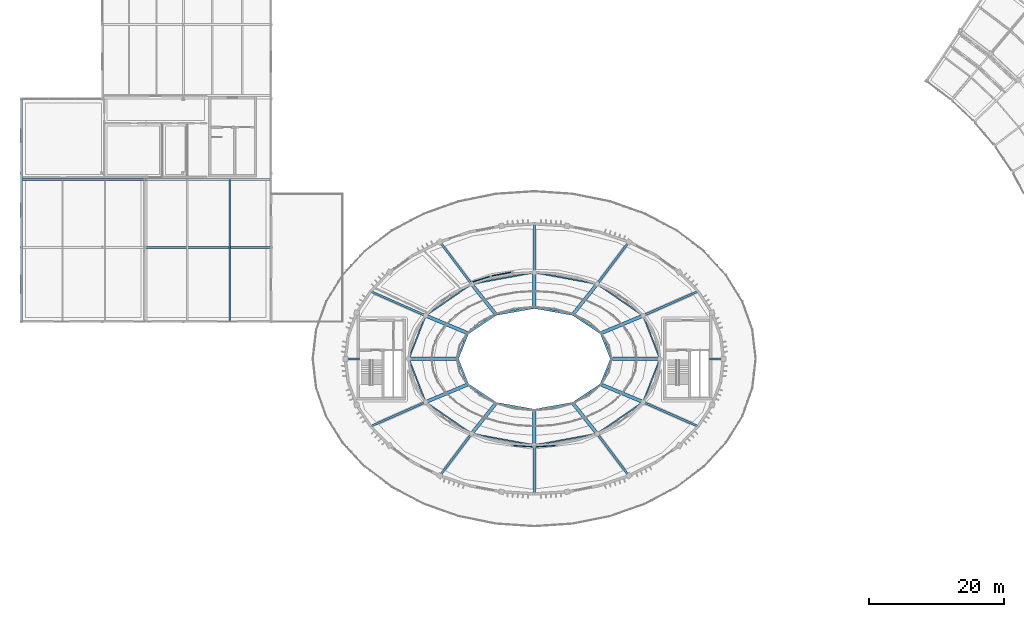
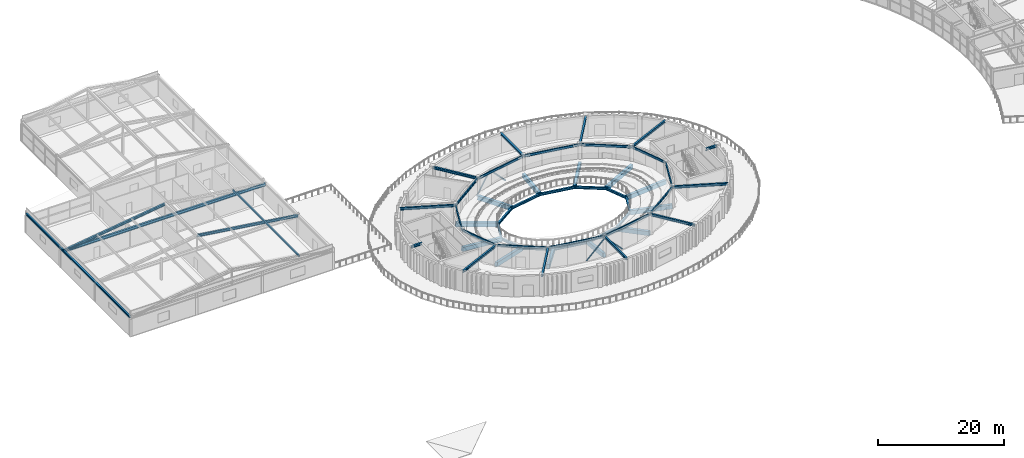
# One storey, part 15 of 63: 50 beams, 7 members.
"""IFC4 building model written with IfcOpenShell, lengths in metres."""

from ifc_helpers import new_model, si_unit, direction, frame, origin, origin_2d, place, context, subcontext, project, spatial, rectangle, hollow_rectangle, hollow_circle, i_section, extrude, material, material_profile, profile_set, type_object, element, save


model = new_model("IFC4")

# Units and contexts
model_context = context("Model", 3, precision=1e-05, world=origin(), true_north=direction((0.0, 1.0)))
body_context = subcontext(model_context, "Body", "Model", "MODEL_VIEW")
ifc_project = project(units=[si_unit("LENGTHUNIT", "METRE"), si_unit("AREAUNIT", "SQUARE_METRE"), si_unit("VOLUMEUNIT", "CUBIC_METRE"), si_unit("PLANEANGLEUNIT", "RADIAN"), si_unit("MASSUNIT", "GRAM", prefix="KILO")], contexts=[model_context])

# Site, building, storey
site_placement = place(None, origin())
site = spatial("IfcSite", under=ifc_project, at=site_placement, CompositionType="ELEMENT")
building_placement = place(site_placement, origin())
building = spatial("IfcBuilding", under=site, at=building_placement, Name="Tarnveldt Headland Concert Hall", CompositionType="ELEMENT")
storey_placement = place(building_placement, frame((0.0, 0.0, 14.39990234375)))
storey = spatial("IfcBuildingStorey", under=building, at=storey_placement, Name="L03", CompositionType="ELEMENT", Elevation=14.39990234375)

# Members
ifc_material_1 = material(Name="Steel S355", Category="steel")
ifc_material_profile_1 = material_profile(ifc_material_1, hollow_circle(Radius=0.109619140625, WallThickness=0.012451171875, at=origin_2d()), Name="CHS 219.1x12.5", Category="steel")
ifc_profile_set_1 = profile_set([ifc_material_profile_1], Name="Steel S355")
member_type_1 = type_object("IfcMemberType", Name="BR-CHS219", PredefinedType="BRACE", material=ifc_profile_set_1)
for number, where, z_axis, x_axis, name in (
    (1, (80.215576171875, 41.681396484375, 0.18017578125), (0.687856864767, -0.042182555076, 0.724619600645), (0.061209623857, 0.998124933036, 0.0), "Acoustic drum chevron brace L03-14A"),
    (2, (86.784423828125, 41.681396484375, 0.18017578125), (-0.687856864767, -0.042182555076, 0.724619600645), (0.061209623857, -0.998124933036, 0.0), "Acoustic drum chevron brace L03-14B"),
):
    element("IfcMember", number, at=place(storey_placement, frame(where, z_axis=z_axis, x_axis=x_axis)), inside=storey, type_object=member_type_1, Name=name, PredefinedType="BRACE", context=body_context, shape_type="SweptSolid", body=[
        extrude(hollow_circle(Radius=0.109619140625, WallThickness=0.012451171875, at=origin_2d()), origin(), (0.0, 0.0, 1.0), 4.77490234375),
    ])
ifc_material_profile_2 = material_profile(ifc_material_1, hollow_circle(Radius=0.136474609375, WallThickness=0.01611328125, at=origin_2d()), Name="CHS 273x16", Category="steel")
ifc_profile_set_2 = profile_set([ifc_material_profile_2], Name="Steel S355")
member_type_2 = type_object("IfcMemberType", Name="BR-CHS273", PredefinedType="BRACE", material=ifc_profile_set_2)
member_1_placement = place(storey_placement, frame((80.215576171875, 67.318603515625, 0.18017578125), z_axis=(-0.671335621168, -0.125804564047, 0.730398312851), x_axis=(0.184188305631, -0.98289097466, 0.0)))
element("IfcMember", 3, at=member_1_placement, inside=storey, type_object=member_type_2, Name="Acoustic drum chevron brace L03-13A", PredefinedType="BRACE", context=body_context, shape_type="SweptSolid", body=[
    extrude(hollow_circle(Radius=0.136474609375, WallThickness=0.01611328125, at=origin_2d()), origin(), (0.0, 0.0, 1.0), 4.737060546875),
])
member_2_placement = place(storey_placement, frame((74.05859375, 65.753662109375, 0.18017578125), z_axis=(0.637976795619, 0.207670786665, 0.741524411343), x_axis=(-0.309528653366, 0.950890116021, 0.0)))
element("IfcMember", 4, at=member_2_placement, inside=storey, type_object=member_type_2, Name="Acoustic drum chevron brace L03-13B", PredefinedType="BRACE", context=body_context, shape_type="SweptSolid", body=[
    extrude(hollow_circle(Radius=0.136474609375, WallThickness=0.01611328125, at=origin_2d()), origin(), (0.0, 0.0, 1.0), 4.666015625),
])
ifc_material_profile_3 = material_profile(ifc_material_1, hollow_rectangle(XDim=0.199951171875, YDim=0.300048828125, WallThickness=0.012451171875, at=origin_2d()), Name="RHS 300x200x12.5", Category="steel")
ifc_profile_set_3 = profile_set([ifc_material_profile_3], Name="Steel S355")
member_type_3 = type_object("IfcMemberType", Name="PR-RHS300", PredefinedType="PURLIN", material=ifc_profile_set_3)
member_3_placement = place(storey_placement, frame((38.39501953125, 60.0, 4.6181640625), z_axis=(0.0, 1.0, 0.0), x_axis=(-1.0, 0.0, 0.0)))
element("IfcMember", 5, at=member_3_placement, inside=storey, type_object=member_type_3, Name="Rehearsal roof purlin SE-33", PredefinedType="PURLIN", context=body_context, shape_type="SweptSolid", body=[
    extrude(hollow_rectangle(XDim=0.199951171875, YDim=0.300048828125, WallThickness=0.012451171875, at=origin_2d()), origin(), (0.0, 0.0, 1.0), 21.10009765625),
])
ifc_material_profile_4 = material_profile(ifc_material_1, i_section(OverallWidth=0.300048828125, OverallDepth=0.449951171875, WebThickness=0.013916015625, FlangeThickness=0.02587890625, FilletRadius=0.027099609375, at=origin_2d()), Name="HEB450", Category="steel")
ifc_profile_set_4 = profile_set([ifc_material_profile_4], Name="Steel S355")
member_type_4 = type_object("IfcMemberType", Name="RF-HEB450", PredefinedType="RAFTER", material=ifc_profile_set_4)
for number, where, z_axis, x_axis, name in (
    (6, (26.0, 71.0, 6.260009765625), (0.990416332832, 0.0, -0.138114038601), (0.0, 1.0, 0.0), "ROOF TRUSS Rehearsal rafter S-2E"),
    (7, (7.5, 81.10009765625, 3.68017578125), (0.990416332832, 0.0, 0.138114038601), (0.0, 1.0, 0.0), "ROOF TRUSS Rehearsal rafter S-3W"),
):
    element("IfcMember", number, at=place(storey_placement, frame(where, z_axis=z_axis, x_axis=x_axis)), inside=storey, type_object=member_type_4, Name=name, PredefinedType="RAFTER", context=body_context, shape_type="SweptSolid", body=[
        extrude(i_section(OverallWidth=0.300048828125, OverallDepth=0.449951171875, WebThickness=0.013916015625, FlangeThickness=0.02587890625, FilletRadius=0.027099609375, at=origin_2d()), origin(), (0.0, 0.0, 1.0), 18.678955078125),
    ])

# Beams
ifc_material_2 = material(Name="Concrete C40/50", Category="concrete")
ifc_material_profile_5 = material_profile(ifc_material_2, rectangle(XDim=0.5, YDim=0.800048828125, at=origin_2d()), Name="RAKER RC 500x800", Category="concrete")
ifc_profile_set_5 = profile_set([ifc_material_profile_5], Name="Concrete C40/50")
beam_type_1 = type_object("IfcBeamType", Name="RK-500x800", PredefinedType="BEAM", material=ifc_profile_set_5)
beam_1_placement = place(storey_placement, frame((102.10009765625, 54.5, 0.10009765625), z_axis=(-0.996488666887, 0.0, -0.08372775385), x_axis=(0.0, -1.0, 0.0)))
element("IfcBeam", 8, at=beam_1_placement, inside=storey, type_object=beam_type_1, Name="Stand RAKER beam L03-1", PredefinedType="BEAM", context=body_context, shape_type="SweptSolid", body=[
    extrude(rectangle(XDim=0.5, YDim=0.800048828125, at=origin_2d()), origin(), (0.0, 0.0, 1.0), 7.2255859375),
])
beam_2_placement = place(storey_placement, frame((99.608154296875, 60.89990234375, 0.10009765625), z_axis=(-0.919303981866, -0.383307286722, -0.089194802939), x_axis=(0.384841186622, -0.922982806492, 0.0)))
element("IfcBeam", 9, at=beam_2_placement, inside=storey, type_object=beam_type_1, Name="Stand RAKER beam L03-2", PredefinedType="BEAM", context=body_context, shape_type="SweptSolid", body=[
    extrude(rectangle(XDim=0.5, YDim=0.800048828125, at=origin_2d()), origin(), (0.0, 0.0, 1.0), 6.78271484375),
])
beam_3_placement = place(storey_placement, frame((92.800048828125, 65.585205078125, 0.10009765625), z_axis=(-0.621006749966, -0.776826970695, -0.104357434315), x_axis=(0.781091844356, -0.624416151842, 0.0)))
element("IfcBeam", 10, at=beam_3_placement, inside=storey, type_object=beam_type_1, Name="Stand RAKER beam L03-3", PredefinedType="BEAM", context=body_context, shape_type="SweptSolid", body=[
    extrude(rectangle(XDim=0.5, YDim=0.800048828125, at=origin_2d()), origin(), (0.0, 0.0, 1.0), 5.797119140625),
])
beam_4_placement = place(storey_placement, frame((83.5, 67.300048828125, 0.10009765625), z_axis=(0.0, -0.993300036983, -0.115563993222), x_axis=(1.0, 0.0, 0.0)))
element("IfcBeam", 11, at=beam_4_placement, inside=storey, type_object=beam_type_1, Name="Stand RAKER beam L03-4", PredefinedType="BEAM", context=body_context, shape_type="SweptSolid", body=[
    extrude(rectangle(XDim=0.5, YDim=0.800048828125, at=origin_2d()), origin(), (0.0, 0.0, 1.0), 5.235107421875),
])
beam_5_placement = place(storey_placement, frame((74.199951171875, 65.585205078125, 0.10009765625), z_axis=(0.621006749966, -0.776826970695, -0.104357434315), x_axis=(0.781091844356, 0.624416151842, 0.0)))
element("IfcBeam", 12, at=beam_5_placement, inside=storey, type_object=beam_type_1, Name="Stand RAKER beam L03-5", PredefinedType="BEAM", context=body_context, shape_type="SweptSolid", body=[
    extrude(rectangle(XDim=0.5, YDim=0.800048828125, at=origin_2d()), origin(), (0.0, 0.0, 1.0), 5.797119140625),
])
beam_6_placement = place(storey_placement, frame((67.391845703125, 60.89990234375, 0.10009765625), z_axis=(0.919303981866, -0.383307286722, -0.089194802939), x_axis=(0.384841186622, 0.922982806492, 0.0)))
element("IfcBeam", 13, at=beam_6_placement, inside=storey, type_object=beam_type_1, Name="Stand RAKER beam L03-6", PredefinedType="BEAM", context=body_context, shape_type="SweptSolid", body=[
    extrude(rectangle(XDim=0.5, YDim=0.800048828125, at=origin_2d()), origin(), (0.0, 0.0, 1.0), 6.78271484375),
])
beam_7_placement = place(storey_placement, frame((64.89990234375, 54.5, 0.10009765625), z_axis=(0.996488666887, 0.0, -0.08372775385), x_axis=(0.0, 1.0, 0.0)))
element("IfcBeam", 14, at=beam_7_placement, inside=storey, type_object=beam_type_1, Name="Stand RAKER beam L03-7", PredefinedType="BEAM", context=body_context, shape_type="SweptSolid", body=[
    extrude(rectangle(XDim=0.5, YDim=0.800048828125, at=origin_2d()), origin(), (0.0, 0.0, 1.0), 7.2255859375),
])
beam_8_placement = place(storey_placement, frame((67.391845703125, 48.10009765625, 0.10009765625), z_axis=(0.919303981866, 0.383307286722, -0.089194802939), x_axis=(-0.384841186622, 0.922982806492, 0.0)))
element("IfcBeam", 15, at=beam_8_placement, inside=storey, type_object=beam_type_1, Name="Stand RAKER beam L03-8", PredefinedType="BEAM", context=body_context, shape_type="SweptSolid", body=[
    extrude(rectangle(XDim=0.5, YDim=0.800048828125, at=origin_2d()), origin(), (0.0, 0.0, 1.0), 6.78271484375),
])
beam_9_placement = place(storey_placement, frame((74.199951171875, 43.414794921875, 0.10009765625), z_axis=(0.621006749966, 0.776826970695, -0.104357434315), x_axis=(-0.781091844356, 0.624416151842, 0.0)))
element("IfcBeam", 16, at=beam_9_placement, inside=storey, type_object=beam_type_1, Name="Stand RAKER beam L03-9", PredefinedType="BEAM", context=body_context, shape_type="SweptSolid", body=[
    extrude(rectangle(XDim=0.5, YDim=0.800048828125, at=origin_2d()), origin(), (0.0, 0.0, 1.0), 5.797119140625),
])
beam_10_placement = place(storey_placement, frame((83.5, 41.699951171875, 0.10009765625), z_axis=(0.0, 0.993300036983, -0.115563993222), x_axis=(-1.0, 0.0, 0.0)))
element("IfcBeam", 17, at=beam_10_placement, inside=storey, type_object=beam_type_1, Name="Stand RAKER beam L03-10", PredefinedType="BEAM", context=body_context, shape_type="SweptSolid", body=[
    extrude(rectangle(XDim=0.5, YDim=0.800048828125, at=origin_2d()), origin(), (0.0, 0.0, 1.0), 5.235107421875),
])
beam_11_placement = place(storey_placement, frame((92.800048828125, 43.414794921875, 0.10009765625), z_axis=(-0.621006749966, 0.776826970695, -0.104357434315), x_axis=(-0.781091844356, -0.624416151842, 0.0)))
element("IfcBeam", 18, at=beam_11_placement, inside=storey, type_object=beam_type_1, Name="Stand RAKER beam L03-11", PredefinedType="BEAM", context=body_context, shape_type="SweptSolid", body=[
    extrude(rectangle(XDim=0.5, YDim=0.800048828125, at=origin_2d()), origin(), (0.0, 0.0, 1.0), 5.797119140625),
])
beam_12_placement = place(storey_placement, frame((99.608154296875, 48.10009765625, 0.10009765625), z_axis=(-0.919303981866, 0.383307286722, -0.089194802939), x_axis=(-0.384841186622, -0.922982806492, 0.0)))
element("IfcBeam", 19, at=beam_12_placement, inside=storey, type_object=beam_type_1, Name="Stand RAKER beam L03-12", PredefinedType="BEAM", context=body_context, shape_type="SweptSolid", body=[
    extrude(rectangle(XDim=0.5, YDim=0.800048828125, at=origin_2d()), origin(), (0.0, 0.0, 1.0), 6.78271484375),
])
ifc_material_profile_6 = material_profile(ifc_material_1, i_section(OverallWidth=0.300048828125, OverallDepth=0.35009765625, WebThickness=0.010009765625, FlangeThickness=0.017578125, FilletRadius=0.027099609375, at=origin_2d()), Name="HEA360", Category="steel")
ifc_profile_set_6 = profile_set([ifc_material_profile_6], Name="Steel S355")
beam_type_2 = type_object("IfcBeamType", Name="SB-HEA360", PredefinedType="SPANDREL", material=ifc_profile_set_6)
beam_13_placement = place(storey_placement, frame((7.5, 60.0, 3.68017578125), z_axis=(0.0, 1.0, 0.0), x_axis=(-1.0, 0.0, 0.0)))
element("IfcBeam", 20, at=beam_13_placement, inside=storey, type_object=beam_type_2, Name="Rehearsal eaves girder X7", PredefinedType="SPANDREL", context=body_context, shape_type="SweptSolid", body=[
    extrude(i_section(OverallWidth=0.300048828125, OverallDepth=0.35009765625, WebThickness=0.010009765625, FlangeThickness=0.017578125, FilletRadius=0.027099609375, at=origin_2d()), origin(), (0.0, 0.0, 1.0), 33.0),
])
ifc_material_profile_7 = material_profile(ifc_material_1, i_section(OverallWidth=0.300048828125, OverallDepth=0.449951171875, WebThickness=0.013916015625, FlangeThickness=0.02587890625, FilletRadius=0.027099609375, at=origin_2d()), Name="HEB450", Category="steel")
ifc_profile_set_7 = profile_set([ifc_material_profile_7], Name="Steel S355")
beam_type_3 = type_object("IfcBeamType", Name="SB-HEB450", PredefinedType="BEAM", material=ifc_profile_set_7)
beam_14_placement = place(storey_placement, frame((94.89990234375, 54.5, -0.5048828125), z_axis=(-0.372880527765, 0.927879362856, 0.0), x_axis=(-0.927879362856, -0.372880527765, 0.0)))
element("IfcBeam", 21, at=beam_14_placement, inside=storey, type_object=beam_type_3, Name="RAKER header beam L03-1", PredefinedType="BEAM", context=body_context, shape_type="SweptSolid", body=[
    extrude(i_section(OverallWidth=0.300048828125, OverallDepth=0.449951171875, WebThickness=0.013916015625, FlangeThickness=0.02587890625, FilletRadius=0.027099609375, at=origin_2d()), origin(), (0.0, 0.0, 1.0), 4.095458984375),
])
beam_15_placement = place(storey_placement, frame((93.372802734375, 58.300048828125, -0.5048828125), z_axis=(-0.832065272977, 0.554677727609, 0.0), x_axis=(-0.554677727609, -0.832065272977, 0.0)))
element("IfcBeam", 22, at=beam_15_placement, inside=storey, type_object=beam_type_3, Name="RAKER header beam L03-2", PredefinedType="BEAM", context=body_context, shape_type="SweptSolid", body=[
    extrude(i_section(OverallWidth=0.300048828125, OverallDepth=0.449951171875, WebThickness=0.013916015625, FlangeThickness=0.02587890625, FilletRadius=0.027099609375, at=origin_2d()), origin(), (0.0, 0.0, 1.0), 5.01513671875),
])
for number, where, z_axis, x_axis, name in (
    (23, (89.199951171875, 61.081787109375, -0.5048828125), (-0.984413760872, 0.175867982893, 0.0), (-0.175867982893, -0.984413760872, 0.0), "RAKER header beam L03-3"),
    (24, (83.5, 62.10009765625, -0.5048828125), (-0.984413760872, -0.175867982893, 0.0), (0.175867982893, -0.984413760872, 0.0), "RAKER header beam L03-4"),
):
    element("IfcBeam", number, at=place(storey_placement, frame(where, z_axis=z_axis, x_axis=x_axis)), inside=storey, type_object=beam_type_3, Name=name, PredefinedType="BEAM", context=body_context, shape_type="SweptSolid", body=[
        extrude(i_section(OverallWidth=0.300048828125, OverallDepth=0.449951171875, WebThickness=0.013916015625, FlangeThickness=0.02587890625, FilletRadius=0.027099609375, at=origin_2d()), origin(), (0.0, 0.0, 1.0), 5.790283203125),
    ])
beam_16_placement = place(storey_placement, frame((77.800048828125, 61.081787109375, -0.5048828125), z_axis=(-0.832065272977, -0.554677727609, 0.0), x_axis=(0.554677727609, -0.832065272977, 0.0)))
element("IfcBeam", 25, at=beam_16_placement, inside=storey, type_object=beam_type_3, Name="RAKER header beam L03-5", PredefinedType="BEAM", context=body_context, shape_type="SweptSolid", body=[
    extrude(i_section(OverallWidth=0.300048828125, OverallDepth=0.449951171875, WebThickness=0.013916015625, FlangeThickness=0.02587890625, FilletRadius=0.027099609375, at=origin_2d()), origin(), (0.0, 0.0, 1.0), 5.01513671875),
])
for number, where, z_axis, x_axis, name in (
    (26, (73.627197265625, 58.300048828125, -0.5048828125), (-0.372880527765, -0.927879362856, 0.0), (0.927879362856, -0.372880527765, 0.0), "RAKER header beam L03-6"),
    (27, (72.10009765625, 54.5, -0.5048828125), (0.372880527765, -0.927879362856, 0.0), (0.927879362856, 0.372880527765, 0.0), "RAKER header beam L03-7"),
):
    element("IfcBeam", number, at=place(storey_placement, frame(where, z_axis=z_axis, x_axis=x_axis)), inside=storey, type_object=beam_type_3, Name=name, PredefinedType="BEAM", context=body_context, shape_type="SweptSolid", body=[
        extrude(i_section(OverallWidth=0.300048828125, OverallDepth=0.449951171875, WebThickness=0.013916015625, FlangeThickness=0.02587890625, FilletRadius=0.027099609375, at=origin_2d()), origin(), (0.0, 0.0, 1.0), 4.095458984375),
    ])
beam_17_placement = place(storey_placement, frame((73.627197265625, 50.699951171875, -0.5048828125), z_axis=(0.832065272977, -0.554677727609, 0.0), x_axis=(0.554677727609, 0.832065272977, 0.0)))
element("IfcBeam", 28, at=beam_17_placement, inside=storey, type_object=beam_type_3, Name="RAKER header beam L03-8", PredefinedType="BEAM", context=body_context, shape_type="SweptSolid", body=[
    extrude(i_section(OverallWidth=0.300048828125, OverallDepth=0.449951171875, WebThickness=0.013916015625, FlangeThickness=0.02587890625, FilletRadius=0.027099609375, at=origin_2d()), origin(), (0.0, 0.0, 1.0), 5.01513671875),
])
for number, where, z_axis, x_axis, name in (
    (29, (77.800048828125, 47.918212890625, -0.5048828125), (0.984413760872, -0.175867982893, 0.0), (0.175867982893, 0.984413760872, 0.0), "RAKER header beam L03-9"),
    (30, (83.5, 46.89990234375, -0.5048828125), (0.984413760872, 0.175867982893, 0.0), (-0.175867982893, 0.984413760872, 0.0), "RAKER header beam L03-10"),
):
    element("IfcBeam", number, at=place(storey_placement, frame(where, z_axis=z_axis, x_axis=x_axis)), inside=storey, type_object=beam_type_3, Name=name, PredefinedType="BEAM", context=body_context, shape_type="SweptSolid", body=[
        extrude(i_section(OverallWidth=0.300048828125, OverallDepth=0.449951171875, WebThickness=0.013916015625, FlangeThickness=0.02587890625, FilletRadius=0.027099609375, at=origin_2d()), origin(), (0.0, 0.0, 1.0), 5.790283203125),
    ])
beam_18_placement = place(storey_placement, frame((89.199951171875, 47.918212890625, -0.5048828125), z_axis=(0.832065272977, 0.554677727609, 0.0), x_axis=(-0.554677727609, 0.832065272977, 0.0)))
element("IfcBeam", 31, at=beam_18_placement, inside=storey, type_object=beam_type_3, Name="RAKER header beam L03-11", PredefinedType="BEAM", context=body_context, shape_type="SweptSolid", body=[
    extrude(i_section(OverallWidth=0.300048828125, OverallDepth=0.449951171875, WebThickness=0.013916015625, FlangeThickness=0.02587890625, FilletRadius=0.027099609375, at=origin_2d()), origin(), (0.0, 0.0, 1.0), 5.01513671875),
])
beam_19_placement = place(storey_placement, frame((93.372802734375, 50.699951171875, -0.5048828125), z_axis=(0.372880527765, 0.927879362856, 0.0), x_axis=(-0.927879362856, 0.372880527765, 0.0)))
element("IfcBeam", 32, at=beam_19_placement, inside=storey, type_object=beam_type_3, Name="RAKER header beam L03-12", PredefinedType="BEAM", context=body_context, shape_type="SweptSolid", body=[
    extrude(i_section(OverallWidth=0.300048828125, OverallDepth=0.449951171875, WebThickness=0.013916015625, FlangeThickness=0.02587890625, FilletRadius=0.027099609375, at=origin_2d()), origin(), (0.0, 0.0, 1.0), 4.095458984375),
])
beam_20_placement = place(storey_placement, frame((109.419921875, 54.5, 3.735107421875), z_axis=(1.0, 0.0, 0.0), x_axis=(0.0, 1.0, 0.0)))
element("IfcBeam", 33, at=beam_20_placement, inside=storey, type_object=beam_type_3, Name="Framing beam L03-1228", PredefinedType="BEAM", context=body_context, shape_type="SweptSolid", body=[
    extrude(i_section(OverallWidth=0.300048828125, OverallDepth=0.449951171875, WebThickness=0.013916015625, FlangeThickness=0.02587890625, FilletRadius=0.027099609375, at=origin_2d()), origin(), (0.0, 0.0, 1.0), 2.0400390625),
])
beam_21_placement = place(storey_placement, frame((99.644775390625, 60.916259765625, 3.735107421875), z_axis=(0.91456211397, 0.404445471839, 0.0), x_axis=(-0.404445471839, 0.91456211397, 0.0)))
element("IfcBeam", 34, at=beam_21_placement, inside=storey, type_object=beam_type_3, Name="Framing beam L03-1230", PredefinedType="BEAM", context=body_context, shape_type="SweptSolid", body=[
    extrude(i_section(OverallWidth=0.300048828125, OverallDepth=0.449951171875, WebThickness=0.013916015625, FlangeThickness=0.02587890625, FilletRadius=0.027099609375, at=origin_2d()), origin(), (0.0, 0.0, 1.0), 8.821044921875),
])
beam_22_placement = place(storey_placement, frame((92.82421875, 65.616943359375, 3.735107421875), z_axis=(0.601893745781, 0.798576182208, 0.0), x_axis=(-0.798576182208, 0.601893745781, 0.0)))
element("IfcBeam", 35, at=beam_22_placement, inside=storey, type_object=beam_type_3, Name="Framing beam L03-1232", PredefinedType="BEAM", context=body_context, shape_type="SweptSolid", body=[
    extrude(i_section(OverallWidth=0.300048828125, OverallDepth=0.449951171875, WebThickness=0.013916015625, FlangeThickness=0.02587890625, FilletRadius=0.027099609375, at=origin_2d()), origin(), (0.0, 0.0, 1.0), 7.728271484375),
])
beam_23_placement = place(storey_placement, frame((83.5, 67.340087890625, 3.735107421875), z_axis=(0.0, 1.0, 0.0), x_axis=(-1.0, 0.0, 0.0)))
element("IfcBeam", 36, at=beam_23_placement, inside=storey, type_object=beam_type_3, Name="Framing beam L03-1234", PredefinedType="BEAM", context=body_context, shape_type="SweptSolid", body=[
    extrude(i_section(OverallWidth=0.300048828125, OverallDepth=0.449951171875, WebThickness=0.013916015625, FlangeThickness=0.02587890625, FilletRadius=0.027099609375, at=origin_2d()), origin(), (0.0, 0.0, 1.0), 7.119873046875),
])
beam_24_placement = place(storey_placement, frame((74.17578125, 65.616943359375, 3.735107421875), z_axis=(-0.601893745781, 0.798576182208, 0.0), x_axis=(-0.798576182208, -0.601893745781, 0.0)))
element("IfcBeam", 37, at=beam_24_placement, inside=storey, type_object=beam_type_3, Name="Framing beam L03-1236", PredefinedType="BEAM", context=body_context, shape_type="SweptSolid", body=[
    extrude(i_section(OverallWidth=0.300048828125, OverallDepth=0.449951171875, WebThickness=0.013916015625, FlangeThickness=0.02587890625, FilletRadius=0.027099609375, at=origin_2d()), origin(), (0.0, 0.0, 1.0), 7.728271484375),
])
beam_25_placement = place(storey_placement, frame((67.355224609375, 60.916259765625, 3.735107421875), z_axis=(-0.91456211397, 0.404445471839, 0.0), x_axis=(-0.404445471839, -0.91456211397, 0.0)))
element("IfcBeam", 38, at=beam_25_placement, inside=storey, type_object=beam_type_3, Name="Framing beam L03-1238", PredefinedType="BEAM", context=body_context, shape_type="SweptSolid", body=[
    extrude(i_section(OverallWidth=0.300048828125, OverallDepth=0.449951171875, WebThickness=0.013916015625, FlangeThickness=0.02587890625, FilletRadius=0.027099609375, at=origin_2d()), origin(), (0.0, 0.0, 1.0), 8.821044921875),
])
beam_26_placement = place(storey_placement, frame((57.580078125, 54.5, 3.735107421875), z_axis=(-1.0, 0.0, 0.0), x_axis=(0.0, -1.0, 0.0)))
element("IfcBeam", 39, at=beam_26_placement, inside=storey, type_object=beam_type_3, Name="Framing beam L03-1240", PredefinedType="BEAM", context=body_context, shape_type="SweptSolid", body=[
    extrude(i_section(OverallWidth=0.300048828125, OverallDepth=0.449951171875, WebThickness=0.013916015625, FlangeThickness=0.02587890625, FilletRadius=0.027099609375, at=origin_2d()), origin(), (0.0, 0.0, 1.0), 2.0400390625),
])
beam_27_placement = place(storey_placement, frame((67.355224609375, 48.083740234375, 3.735107421875), z_axis=(-0.91456211397, -0.404445471839, 0.0), x_axis=(0.404445471839, -0.91456211397, 0.0)))
element("IfcBeam", 40, at=beam_27_placement, inside=storey, type_object=beam_type_3, Name="Framing beam L03-1242", PredefinedType="BEAM", context=body_context, shape_type="SweptSolid", body=[
    extrude(i_section(OverallWidth=0.300048828125, OverallDepth=0.449951171875, WebThickness=0.013916015625, FlangeThickness=0.02587890625, FilletRadius=0.027099609375, at=origin_2d()), origin(), (0.0, 0.0, 1.0), 8.821044921875),
])
beam_28_placement = place(storey_placement, frame((74.17578125, 43.383056640625, 3.735107421875), z_axis=(-0.601893745781, -0.798576182208, 0.0), x_axis=(0.798576182208, -0.601893745781, 0.0)))
element("IfcBeam", 41, at=beam_28_placement, inside=storey, type_object=beam_type_3, Name="Framing beam L03-1244", PredefinedType="BEAM", context=body_context, shape_type="SweptSolid", body=[
    extrude(i_section(OverallWidth=0.300048828125, OverallDepth=0.449951171875, WebThickness=0.013916015625, FlangeThickness=0.02587890625, FilletRadius=0.027099609375, at=origin_2d()), origin(), (0.0, 0.0, 1.0), 7.728271484375),
])
beam_29_placement = place(storey_placement, frame((83.5, 41.659912109375, 3.735107421875), z_axis=(0.0, -1.0, 0.0), x_axis=(1.0, 0.0, 0.0)))
element("IfcBeam", 42, at=beam_29_placement, inside=storey, type_object=beam_type_3, Name="Framing beam L03-1246", PredefinedType="BEAM", context=body_context, shape_type="SweptSolid", body=[
    extrude(i_section(OverallWidth=0.300048828125, OverallDepth=0.449951171875, WebThickness=0.013916015625, FlangeThickness=0.02587890625, FilletRadius=0.027099609375, at=origin_2d()), origin(), (0.0, 0.0, 1.0), 7.119873046875),
])
beam_30_placement = place(storey_placement, frame((92.82421875, 43.383056640625, 3.735107421875), z_axis=(0.601893745781, -0.798576182208, 0.0), x_axis=(0.798576182208, 0.601893745781, 0.0)))
element("IfcBeam", 43, at=beam_30_placement, inside=storey, type_object=beam_type_3, Name="Framing beam L03-1248", PredefinedType="BEAM", context=body_context, shape_type="SweptSolid", body=[
    extrude(i_section(OverallWidth=0.300048828125, OverallDepth=0.449951171875, WebThickness=0.013916015625, FlangeThickness=0.02587890625, FilletRadius=0.027099609375, at=origin_2d()), origin(), (0.0, 0.0, 1.0), 7.728271484375),
])
beam_31_placement = place(storey_placement, frame((99.644775390625, 48.083740234375, 3.735107421875), z_axis=(0.91456211397, -0.404445471839, 0.0), x_axis=(0.404445471839, 0.91456211397, 0.0)))
element("IfcBeam", 44, at=beam_31_placement, inside=storey, type_object=beam_type_3, Name="Framing beam L03-1250", PredefinedType="BEAM", context=body_context, shape_type="SweptSolid", body=[
    extrude(i_section(OverallWidth=0.300048828125, OverallDepth=0.449951171875, WebThickness=0.013916015625, FlangeThickness=0.02587890625, FilletRadius=0.027099609375, at=origin_2d()), origin(), (0.0, 0.0, 1.0), 8.821044921875),
])
ifc_material_profile_8 = material_profile(ifc_material_1, i_section(OverallWidth=0.300048828125, OverallDepth=0.550048828125, WebThickness=0.014892578125, FlangeThickness=0.029052734375, FilletRadius=0.027099609375, at=origin_2d()), Name="HEB550", Category="steel")
ifc_profile_set_8 = profile_set([ifc_material_profile_8], Name="Steel S355")
beam_type_4 = type_object("IfcBeamType", Name="SB-HEB550", PredefinedType="BEAM", material=ifc_profile_set_8)
beam_32_placement = place(storey_placement, frame((7.64990234375, 81.10009765625, 3.68017578125), z_axis=(1.0, 0.0, 0.0), x_axis=(0.0, 1.0, 0.0)))
element("IfcBeam", 45, at=beam_32_placement, inside=storey, type_object=beam_type_4, Name="ROOF TRUSS bottom tie girder S-3", PredefinedType="BEAM", context=body_context, shape_type="SweptSolid", body=[
    extrude(i_section(OverallWidth=0.300048828125, OverallDepth=0.550048828125, WebThickness=0.014892578125, FlangeThickness=0.029052734375, FilletRadius=0.027099609375, at=origin_2d()), origin(), (0.0, 0.0, 1.0), 36.7001953125),
])
ifc_material_profile_9 = material_profile(ifc_material_1, i_section(OverallWidth=0.18994140625, OverallDepth=0.449951171875, WebThickness=0.009521484375, FlangeThickness=0.0146484375, FilletRadius=0.02099609375, at=origin_2d()), Name="IPE450", Category="steel")
ifc_profile_set_9 = profile_set([ifc_material_profile_9], Name="Steel S355")
beam_type_5 = type_object("IfcBeamType", Name="SB-IPE450", PredefinedType="BEAM", material=ifc_profile_set_9)
beam_33_placement = place(storey_placement, frame((102.078125, 54.555908203125, 3.735107421875), z_axis=(-0.362816377746, 0.931860652694, 0.0), x_axis=(-0.931860652694, -0.362816377746, 0.0)))
element("IfcBeam", 46, at=beam_33_placement, inside=storey, type_object=beam_type_5, Name="Framing beam L03-1229", PredefinedType="BEAM", context=body_context, shape_type="SweptSolid", body=[
    extrude(i_section(OverallWidth=0.18994140625, OverallDepth=0.449951171875, WebThickness=0.009521484375, FlangeThickness=0.0146484375, FilletRadius=0.02099609375, at=origin_2d()), origin(), (0.0, 0.0, 1.0), 6.747802734375),
])
beam_34_placement = place(storey_placement, frame((99.55859375, 60.93408203125, 3.735107421875), z_axis=(-0.823792567818, 0.566891352207, 0.0), x_axis=(-0.566891352207, -0.823792567818, 0.0)))
element("IfcBeam", 47, at=beam_34_placement, inside=storey, type_object=beam_type_5, Name="Framing beam L03-1231", PredefinedType="BEAM", context=body_context, shape_type="SweptSolid", body=[
    extrude(i_section(OverallWidth=0.18994140625, OverallDepth=0.449951171875, WebThickness=0.009521484375, FlangeThickness=0.0146484375, FilletRadius=0.02099609375, at=origin_2d()), origin(), (0.0, 0.0, 1.0), 8.144287109375),
])
for number, where, z_axis, x_axis, name in (
    (48, (92.740966796875, 65.595947265625, 3.735107421875), (-0.983420438696, 0.181340124501, 0.0), (-0.181340124501, -0.983420438696, 0.0), "Framing beam L03-1233"),
    (49, (83.44091796875, 67.2890625, 3.735107421875), (-0.983420438696, -0.181340124501, 0.0), (0.181340124501, -0.983420438696, 0.0), "Framing beam L03-1235"),
):
    element("IfcBeam", number, at=place(storey_placement, frame(where, z_axis=z_axis, x_axis=x_axis)), inside=storey, type_object=beam_type_5, Name=name, PredefinedType="BEAM", context=body_context, shape_type="SweptSolid", body=[
        extrude(i_section(OverallWidth=0.18994140625, OverallDepth=0.449951171875, WebThickness=0.009521484375, FlangeThickness=0.0146484375, FilletRadius=0.02099609375, at=origin_2d()), origin(), (0.0, 0.0, 1.0), 9.336669921875),
    ])
beam_35_placement = place(storey_placement, frame((74.150634765625, 65.551025390625, 3.735107421875), z_axis=(-0.823792567818, -0.566891352207, 0.0), x_axis=(0.566891352207, -0.823792567818, 0.0)))
element("IfcBeam", 50, at=beam_35_placement, inside=storey, type_object=beam_type_5, Name="Framing beam L03-1237", PredefinedType="BEAM", context=body_context, shape_type="SweptSolid", body=[
    extrude(i_section(OverallWidth=0.18994140625, OverallDepth=0.449951171875, WebThickness=0.009521484375, FlangeThickness=0.0146484375, FilletRadius=0.02099609375, at=origin_2d()), origin(), (0.0, 0.0, 1.0), 8.144287109375),
])
for number, where, z_axis, x_axis, name in (
    (51, (67.3701171875, 60.843994140625, 3.735107421875), (-0.362816377746, -0.931860652694, 0.0), (0.931860652694, -0.362816377746, 0.0), "Framing beam L03-1239"),
    (52, (64.921875, 54.444091796875, 3.735107421875), (0.362816377746, -0.931860652694, 0.0), (0.931860652694, 0.362816377746, 0.0), "Framing beam L03-1241"),
):
    element("IfcBeam", number, at=place(storey_placement, frame(where, z_axis=z_axis, x_axis=x_axis)), inside=storey, type_object=beam_type_5, Name=name, PredefinedType="BEAM", context=body_context, shape_type="SweptSolid", body=[
        extrude(i_section(OverallWidth=0.18994140625, OverallDepth=0.449951171875, WebThickness=0.009521484375, FlangeThickness=0.0146484375, FilletRadius=0.02099609375, at=origin_2d()), origin(), (0.0, 0.0, 1.0), 6.747802734375),
    ])
beam_36_placement = place(storey_placement, frame((67.44140625, 48.06591796875, 3.735107421875), z_axis=(0.823792567818, -0.566891352207, 0.0), x_axis=(0.566891352207, 0.823792567818, 0.0)))
element("IfcBeam", 53, at=beam_36_placement, inside=storey, type_object=beam_type_5, Name="Framing beam L03-1243", PredefinedType="BEAM", context=body_context, shape_type="SweptSolid", body=[
    extrude(i_section(OverallWidth=0.18994140625, OverallDepth=0.449951171875, WebThickness=0.009521484375, FlangeThickness=0.0146484375, FilletRadius=0.02099609375, at=origin_2d()), origin(), (0.0, 0.0, 1.0), 8.144287109375),
])
for number, where, z_axis, x_axis, name in (
    (54, (74.259033203125, 43.404052734375, 3.735107421875), (0.983420438696, -0.181340124501, 0.0), (0.181340124501, 0.983420438696, 0.0), "Framing beam L03-1245"),
    (55, (83.55908203125, 41.7109375, 3.735107421875), (0.983420438696, 0.181340124501, 0.0), (-0.181340124501, 0.983420438696, 0.0), "Framing beam L03-1247"),
):
    element("IfcBeam", number, at=place(storey_placement, frame(where, z_axis=z_axis, x_axis=x_axis)), inside=storey, type_object=beam_type_5, Name=name, PredefinedType="BEAM", context=body_context, shape_type="SweptSolid", body=[
        extrude(i_section(OverallWidth=0.18994140625, OverallDepth=0.449951171875, WebThickness=0.009521484375, FlangeThickness=0.0146484375, FilletRadius=0.02099609375, at=origin_2d()), origin(), (0.0, 0.0, 1.0), 9.336669921875),
    ])
beam_37_placement = place(storey_placement, frame((92.849365234375, 43.448974609375, 3.735107421875), z_axis=(0.823792567818, 0.566891352207, 0.0), x_axis=(-0.566891352207, 0.823792567818, 0.0)))
element("IfcBeam", 56, at=beam_37_placement, inside=storey, type_object=beam_type_5, Name="Framing beam L03-1249", PredefinedType="BEAM", context=body_context, shape_type="SweptSolid", body=[
    extrude(i_section(OverallWidth=0.18994140625, OverallDepth=0.449951171875, WebThickness=0.009521484375, FlangeThickness=0.0146484375, FilletRadius=0.02099609375, at=origin_2d()), origin(), (0.0, 0.0, 1.0), 8.144287109375),
])
beam_38_placement = place(storey_placement, frame((99.6298828125, 48.156005859375, 3.735107421875), z_axis=(0.362816377746, 0.931860652694, 0.0), x_axis=(-0.931860652694, 0.362816377746, 0.0)))
element("IfcBeam", 57, at=beam_38_placement, inside=storey, type_object=beam_type_5, Name="Framing beam L03-1251", PredefinedType="BEAM", context=body_context, shape_type="SweptSolid", body=[
    extrude(i_section(OverallWidth=0.18994140625, OverallDepth=0.449951171875, WebThickness=0.009521484375, FlangeThickness=0.0146484375, FilletRadius=0.02099609375, at=origin_2d()), origin(), (0.0, 0.0, 1.0), 6.747802734375),
])

save(model, "model.ifc")
